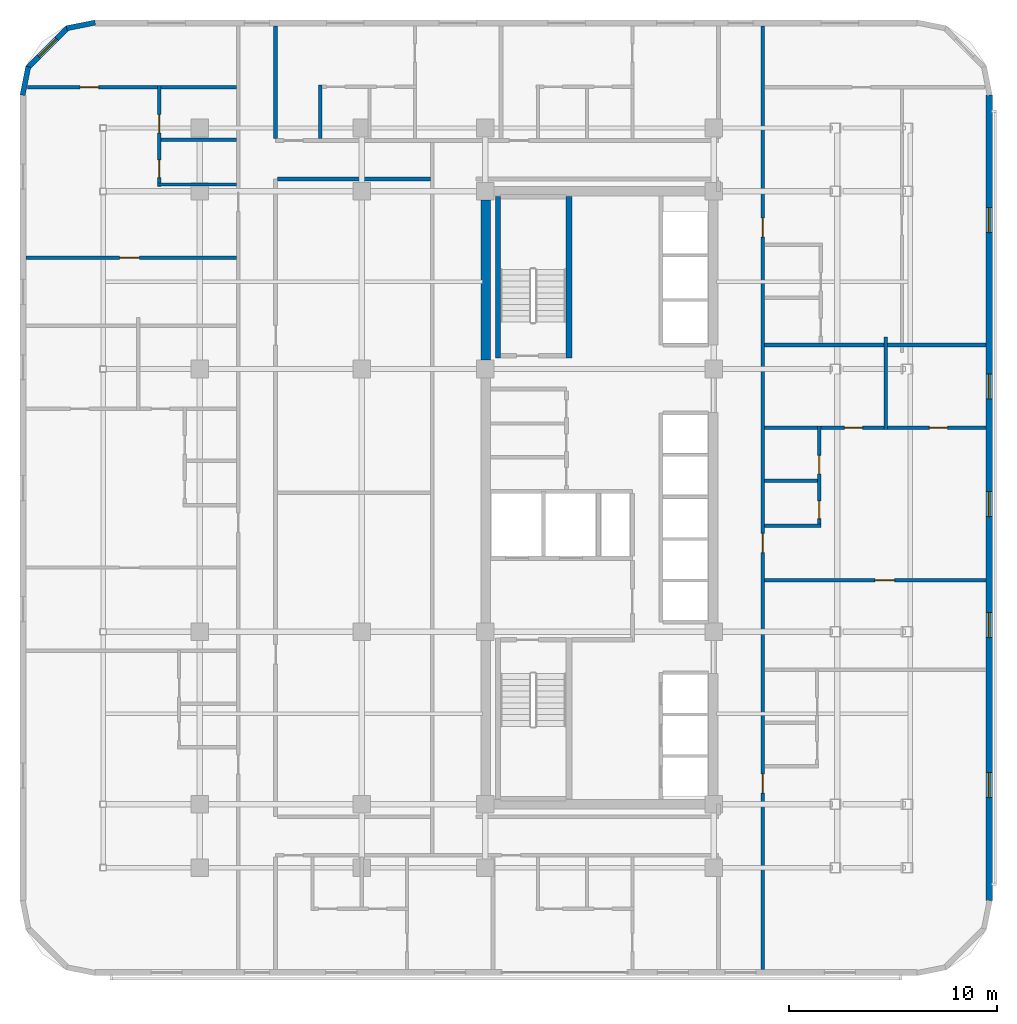
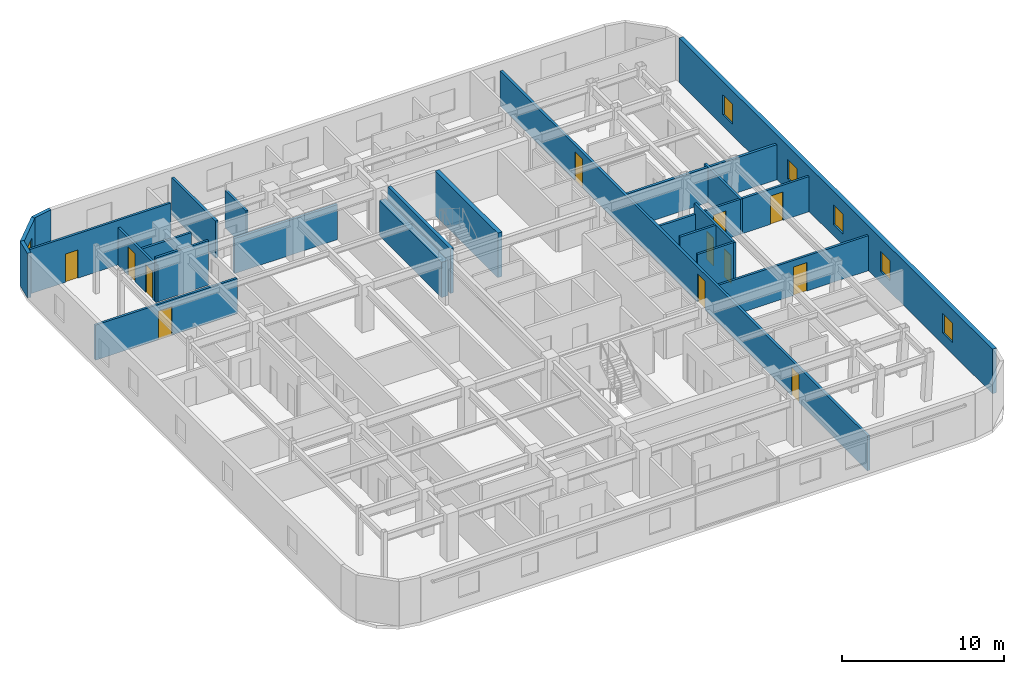
# One storey, part 9 of 15: 23 walls, 12 doors, 6 windows, 18 openings.
"""IFC4 building model written with IfcOpenShell, lengths in metres."""

import ifcopenshell
import ifcopenshell.guid

model = None  # the IFC model being written
_history = None  # IfcOwnerHistory: only IFC2X3 demands one
_inside = {}  # id of a spatial element -> (the spatial element, [elements in it])
_under = {}  # id of a project, library or spatial element -> (it, [spatial elements below it])
_declared = {}  # id of a project -> (the project, [libraries it declares])
_typed = {}  # id of a type object -> (the type object, [elements of that type])
_made_of = {}  # id of a material, layer set ... -> (it, [elements and type objects made of it])


def new_model(schema):
    """Start an empty IFC model of exactly this schema.

    Asked for "IFC4X3", IfcOpenShell would pick the latest addendum, in which some entities
    have other attributes; the version numbers below select the first issue.
    IFC2X3 requires an IfcOwnerHistory on every rooted entity: one is made here for all.
    """
    global model, _history
    if schema == "IFC4X3":
        model = ifcopenshell.file(schema_version=(4, 3, 0, 0))
    else:
        model = ifcopenshell.file(schema=schema)
    _inside.clear()
    _under.clear()
    _declared.clear()
    _typed.clear()
    _made_of.clear()
    _history = None
    if model.schema == "IFC2X3":
        org = make("IfcOrganization", Name="unknown")
        user = make(
            "IfcPersonAndOrganization",
            ThePerson=make("IfcPerson", FamilyName="unknown"),
            TheOrganization=org,
        )
        app = make(
            "IfcApplication",
            ApplicationDeveloper=org,
            Version="unknown",
            ApplicationFullName="unknown",
            ApplicationIdentifier="unknown",
        )
        _history = make(
            "IfcOwnerHistory",
            OwningUser=user,
            OwningApplication=app,
            ChangeAction="ADDED",
            CreationDate=0,
        )
    return model


def make(cls, **values):
    """One entity of the class cls with the attributes given. An attribute that is None is left unset."""
    return model.create_entity(
        cls, **{name: value for name, value in values.items() if value is not None}
    )


def rooted(cls, **values):
    """An entity with a GlobalId (a new one), such as an element, a storey or a relation."""
    return make(cls, GlobalId=ifcopenshell.guid.new(), OwnerHistory=_history, **values)


def si_unit(unit_type, name, prefix=None):
    """IfcSIUnit, for example si_unit("LENGTHUNIT", "METRE", prefix="MILLI")."""
    return make("IfcSIUnit", UnitType=unit_type, Prefix=prefix, Name=name)


def assignment(units):
    """IfcUnitAssignment: the units of a project."""
    return None if units is None else make("IfcUnitAssignment", Units=units)


def point(xyz):
    """IfcCartesianPoint."""
    return None if xyz is None else make("IfcCartesianPoint", Coordinates=xyz)


def direction(xyz):
    """IfcDirection."""
    return None if xyz is None else make("IfcDirection", DirectionRatios=xyz)


def frame(location, z_axis=None, x_axis=None):
    """IfcAxis2Placement3D, a coordinate frame: its origin and axes. An axis left out is left unset."""
    return make(
        "IfcAxis2Placement3D",
        Location=point(location),
        Axis=direction(z_axis),
        RefDirection=direction(x_axis),
    )


def frame_2d(location, x_axis=None):
    """IfcAxis2Placement2D, a coordinate frame in the plane: its origin and x axis."""
    return make(
        "IfcAxis2Placement2D", Location=point(location), RefDirection=direction(x_axis)
    )


def origin():
    """The frame at (0, 0, 0) with its axes left unset."""
    return frame((0.0, 0.0, 0.0))


def place(relative_to, where):
    """IfcLocalPlacement: puts the frame where relative to a parent placement (None: the world)."""
    return make(
        "IfcLocalPlacement", PlacementRelTo=relative_to, RelativePlacement=where
    )


def context(
    kind, dimensions, precision=None, world=None, true_north=None, identifier=None
):
    """IfcGeometricRepresentationContext, for example the 3D "Model" context."""
    return make(
        "IfcGeometricRepresentationContext",
        ContextIdentifier=identifier,
        ContextType=kind,
        CoordinateSpaceDimension=dimensions,
        Precision=precision,
        WorldCoordinateSystem=world,
        TrueNorth=true_north,
    )


def subcontext(parent, identifier, kind, view, scale=None):
    """IfcGeometricRepresentationSubContext, for example "Body" below "Model"."""
    return make(
        "IfcGeometricRepresentationSubContext",
        ContextIdentifier=identifier,
        ContextType=kind,
        ParentContext=parent,
        TargetScale=scale,
        TargetView=view,
    )


def project(units=None, contexts=None):
    """IfcProject with its units and contexts."""
    return rooted(
        "IfcProject",
        Name="project",
        RepresentationContexts=contexts,
        UnitsInContext=assignment(units),
    )


def spatial(cls, under=None, at=None, **own):
    """A site, building, storey or space (cls), placed at a placement, below another one or the project."""
    s = rooted(cls, ObjectPlacement=at, **own)
    if under is not None:
        _under.setdefault(under.id(), (under, []))[1].append(s)
    return s


def profile(cls, at=None, kind="AREA", **sizes):
    """A parametric profile (cls). Its sizes go by their IFC names, for example OverallWidth=200.0."""
    return make(cls, ProfileType=kind, Position=at, **sizes)


def rectangle(**sizes):
    """IfcRectangleProfileDef."""
    return profile("IfcRectangleProfileDef", **sizes)


def extrude(swept, where, along, depth):
    """IfcExtrudedAreaSolid: the profile swept, set in the frame where, extruded along a direction by depth."""
    return make(
        "IfcExtrudedAreaSolid",
        SweptArea=swept,
        Position=where,
        ExtrudedDirection=direction(along),
        Depth=depth,
    )


def shape(context_of_items, identifier, shape_type, items):
    """IfcShapeRepresentation: the items that make up one representation, for example the "Body"."""
    return make(
        "IfcShapeRepresentation",
        ContextOfItems=context_of_items,
        RepresentationIdentifier=identifier,
        RepresentationType=shape_type,
        Items=items,
    )


def material(Name=None, Category=None):
    """IfcMaterial."""
    return make("IfcMaterial", Name=Name, Category=Category)


def layer(
    of_material, thickness, ventilated=None, Name=None, Category=None, Priority=None
):
    """IfcMaterialLayer: one layer of a wall or slab, of a material (None: an air gap)."""
    return make(
        "IfcMaterialLayer",
        Material=of_material,
        LayerThickness=thickness,
        IsVentilated=ventilated,
        Name=Name,
        Category=Category,
        Priority=Priority,
    )


def layer_set(layers, Name=None):
    """IfcMaterialLayerSet."""
    return make("IfcMaterialLayerSet", MaterialLayers=layers, LayerSetName=Name)


def made_of(thing, what):
    """Note that an element or type object is made of a material, layer set ...; save() writes the relation."""
    if what is not None:
        _made_of.setdefault(what.id(), (what, []))[1].append(thing)
    return thing


def type_object(cls, material=None, **own):
    """A type object (cls), such as IfcWallType, which elements share."""
    return made_of(rooted(cls, **own), material)


def element(
    cls,
    number,
    at=None,
    inside=None,
    cuts=None,
    type_object=None,
    material=None,
    context=None,
    identifier="Body",
    shape_type=None,
    held_by="IfcProductDefinitionShape",
    body=None,
    shapes=None,
    **own,
):
    """One element of the class cls, such as IfcWall. Its Tag is "e" and its number.

    at: its placement. inside: the storey or other place that contains it. cuts: it is an
    opening in that element (IfcRelVoidsElement). A single representation is given by context,
    identifier, shape_type and body (its items); several are given by shapes. held_by: the class
    of the entity that holds the representations. save() writes the other relations.
    """
    e = rooted(cls, Tag="e%d" % number, ObjectPlacement=at, **own)
    if body is not None:
        shapes = [shape(context, identifier, shape_type, body)]
    if shapes is not None:
        e.Representation = make(held_by, Representations=shapes)
    if inside is not None:
        _inside.setdefault(inside.id(), (inside, []))[1].append(e)
    if cuts is not None:
        rooted(
            "IfcRelVoidsElement", RelatingBuildingElement=cuts, RelatedOpeningElement=e
        )
    if type_object is not None:
        _typed.setdefault(type_object.id(), (type_object, []))[1].append(e)
    return made_of(e, material)


def fill(opening, filler):
    """IfcRelFillsElement: the door or window that sits in an opening."""
    return rooted(
        "IfcRelFillsElement",
        RelatingOpeningElement=opening,
        RelatedBuildingElement=filler,
    )


def aggregate(whole, parts):
    """IfcRelAggregates: a whole, such as a stair, and the parts it consists of."""
    return rooted("IfcRelAggregates", RelatingObject=whole, RelatedObjects=parts)


def save(model, path):
    """Write the relations noted so far, then the file.

    IfcRelAggregates (storeys below a building ...), IfcRelContainedInSpatialStructure (elements
    in a storey), IfcRelDefinesByType, IfcRelAssociatesMaterial and IfcRelDeclares: one each for
    every whole, place, type object, material and project.
    """
    for whole, parts in _under.values():
        aggregate(whole, parts)
    for where, things in _inside.values():
        rooted(
            "IfcRelContainedInSpatialStructure",
            RelatedElements=things,
            RelatingStructure=where,
        )
    for kind, things in _typed.values():
        rooted("IfcRelDefinesByType", RelatedObjects=things, RelatingType=kind)
    for what, things in _made_of.values():
        rooted("IfcRelAssociatesMaterial", RelatedObjects=things, RelatingMaterial=what)
    for by, libraries in _declared.values():
        rooted("IfcRelDeclares", RelatingContext=by, RelatedDefinitions=libraries)
    model.write(path)


model = new_model("IFC4")

# Units and contexts
model_context = context("Model", 3, precision=1e-05, world=origin(), true_north=direction((0.0, 1.0)))
body_context = subcontext(model_context, "Body", "Model", "MODEL_VIEW")
ifc_project = project(units=[si_unit("LENGTHUNIT", "METRE"), si_unit("AREAUNIT", "SQUARE_METRE"), si_unit("VOLUMEUNIT", "CUBIC_METRE"), si_unit("PLANEANGLEUNIT", "RADIAN"), si_unit("MASSUNIT", "GRAM", prefix="KILO")], contexts=[model_context])

# Site, building, storey
site_placement = place(None, origin())
site = spatial("IfcSite", under=ifc_project, at=site_placement, CompositionType="ELEMENT")
building_placement = place(site_placement, origin())
building = spatial("IfcBuilding", under=site, at=building_placement, Name="Ochreholt Gables", CompositionType="ELEMENT")
storey_placement = place(building_placement, frame((0.0, 0.0, 31.199951171875)))
storey = spatial("IfcBuildingStorey", under=building, at=storey_placement, Name="L07", CompositionType="ELEMENT", Elevation=31.199951171875)

# Wall
ifc_material_1 = material(Name="Concrete 60 MPa", Category="concrete")
ifc_layer_1 = layer(ifc_material_1, 0.449951171875, Name="Concrete 60 MPa")
ifc_layer_set_1 = layer_set([ifc_layer_1], Name="Concrete 60 MPa")
wall_type_1 = type_object("IfcWallType", Name="WALL-CSW-450", PredefinedType="SHEAR", material=ifc_layer_set_1)
wall_1_placement = place(storey_placement, frame((24.22509765625, 30.625, 0.0), z_axis=(0.0, 0.0, 1.0), x_axis=(0.0, 1.0, 0.0)))
element("IfcWall", 1, at=wall_1_placement, inside=storey, type_object=wall_type_1, Name="L07 Core West Shear Wall WN", PredefinedType="SHEAR", context=body_context, shape_type="SweptSolid", body=[
    extrude(rectangle(XDim=7.699951171875, YDim=0.449951171875, at=frame_2d((3.85009765625, 0.0))), origin(), (0.0, 0.0, 1.0), 2.6669921875),
])

# Wall, openings, windows
ifc_material_2 = material(Name="Precast concrete 40 MPa", Category="concrete")
ifc_layer_2 = layer(ifc_material_2, 0.2900390625, Name="Precast concrete 40 MPa")
ifc_layer_set_2 = layer_set([ifc_layer_2], Name="Precast concrete 40 MPa")
wall_type_2 = type_object("IfcWallType", Name="WALL-EXT-290", PredefinedType="SOLIDWALL", material=ifc_layer_set_2)
wall_2_placement = place(storey_placement, frame((48.455078125, 4.6201171875, 0.0), z_axis=(0.0, 0.0, 1.0), x_axis=(0.0, 1.0, 0.0)))
wall_2 = element("IfcWall", 2, at=wall_2_placement, inside=storey, type_object=wall_type_2, Name="L07 East Exterior Wall", PredefinedType="SOLIDWALL", context=body_context, shape_type="SweptSolid", body=[
    extrude(rectangle(XDim=38.759765625, YDim=0.2900390625, at=frame_2d((19.3798828125, 0.0))), origin(), (0.0, 0.0, 1.0), 3.360107421875),
])
opening_1_placement = place(wall_2_placement, frame((4.949951171875, 0.0, 0.85009765625)))
opening_1 = element("IfcOpeningElement", 3, at=opening_1_placement, cuts=wall_2, Name="Opening WN-3", PredefinedType="OPENING", context=body_context, shape_type="SweptSolid", body=[
    extrude(rectangle(XDim=1.199951171875, YDim=1.5, at=frame_2d((0.60009765625, 0.75))), frame((0.0, 0.155029296875, 0.0), z_axis=(0.0, -1.0, 0.0), x_axis=(1.0, 0.0, 0.0)), (0.0, 0.0, 1.0), 0.31005859375),
])
opening_2_placement = place(wall_2_placement, frame((12.654296875, 0.0, 0.85009765625)))
opening_2 = element("IfcOpeningElement", 4, at=opening_2_placement, cuts=wall_2, Name="Opening WN-3", PredefinedType="OPENING", context=body_context, shape_type="SweptSolid", body=[
    extrude(rectangle(XDim=1.199951171875, YDim=1.5, at=frame_2d((0.60009765625, 0.75))), frame((0.0, 0.155029296875, 0.0), z_axis=(0.0, -1.0, 0.0), x_axis=(1.0, 0.0, 0.0)), (0.0, 0.0, 1.0), 0.31005859375),
])
opening_3_placement = place(wall_2_placement, frame((18.479248046875, 0.0, 0.85009765625)))
opening_3 = element("IfcOpeningElement", 5, at=opening_3_placement, cuts=wall_2, Name="Opening WN-3", PredefinedType="OPENING", context=body_context, shape_type="SweptSolid", body=[
    extrude(rectangle(XDim=1.199951171875, YDim=1.5, at=frame_2d((0.60009765625, 0.75))), frame((0.0, 0.155029296875, 0.0), z_axis=(0.0, -1.0, 0.0), x_axis=(1.0, 0.0, 0.0)), (0.0, 0.0, 1.0), 0.31005859375),
])
opening_4_placement = place(wall_2_placement, frame((24.14501953125, 0.0, 0.85009765625)))
opening_4 = element("IfcOpeningElement", 6, at=opening_4_placement, cuts=wall_2, Name="Opening WN-3", PredefinedType="OPENING", context=body_context, shape_type="SweptSolid", body=[
    extrude(rectangle(XDim=1.199951171875, YDim=1.5, at=frame_2d((0.60009765625, 0.75))), frame((0.0, 0.155029296875, 0.0), z_axis=(0.0, -1.0, 0.0), x_axis=(1.0, 0.0, 0.0)), (0.0, 0.0, 1.0), 0.31005859375),
])
opening_5_placement = place(wall_2_placement, frame((32.14990234375, 0.0, 0.85009765625)))
opening_5 = element("IfcOpeningElement", 7, at=opening_5_placement, cuts=wall_2, Name="Opening WN-3", PredefinedType="OPENING", context=body_context, shape_type="SweptSolid", body=[
    extrude(rectangle(XDim=1.199951171875, YDim=1.5, at=frame_2d((0.60009765625, 0.75))), frame((0.0, 0.155029296875, 0.0), z_axis=(0.0, -1.0, 0.0), x_axis=(1.0, 0.0, 0.0)), (0.0, 0.0, 1.0), 0.31005859375),
])
ifc_material_3 = material(Name="Triple-Glazed Thermally Broken Aluminium Window", Category="aluminium")
window_type = type_object("IfcWindowType", Name="WIN-RES-1200", PartitioningType="SINGLE_PANEL", PredefinedType="WINDOW", material=ifc_material_3)
window_1_placement = place(opening_1_placement, origin())
window_1 = element("IfcWindow", 8, at=window_1_placement, inside=storey, type_object=window_type, Name="L07 Window W-EXT-E-L07-1", OverallHeight=1.5, OverallWidth=1.199951171875, PartitioningType="SINGLE_PANEL", PredefinedType="WINDOW", context=body_context, shape_type="SweptSolid", body=[
    extrude(rectangle(XDim=1.199951171875, YDim=1.5, at=frame_2d((0.60009765625, 0.75))), frame((0.0, 0.030029296875, 0.0), z_axis=(0.0, -1.0, 0.0), x_axis=(1.0, 0.0, 0.0)), (0.0, 0.0, 1.0), 0.06005859375),
])
fill(opening_1, window_1)
window_2_placement = place(opening_2_placement, origin())
window_2 = element("IfcWindow", 9, at=window_2_placement, inside=storey, type_object=window_type, Name="L07 Window W-EXT-E-L07-2", OverallHeight=1.5, OverallWidth=1.199951171875, PartitioningType="SINGLE_PANEL", PredefinedType="WINDOW", context=body_context, shape_type="SweptSolid", body=[
    extrude(rectangle(XDim=1.199951171875, YDim=1.5, at=frame_2d((0.60009765625, 0.75))), frame((0.0, 0.030029296875, 0.0), z_axis=(0.0, -1.0, 0.0), x_axis=(1.0, 0.0, 0.0)), (0.0, 0.0, 1.0), 0.06005859375),
])
fill(opening_2, window_2)
window_3_placement = place(opening_3_placement, origin())
window_3 = element("IfcWindow", 10, at=window_3_placement, inside=storey, type_object=window_type, Name="L07 Window W-EXT-E-L07-3", OverallHeight=1.5, OverallWidth=1.199951171875, PartitioningType="SINGLE_PANEL", PredefinedType="WINDOW", context=body_context, shape_type="SweptSolid", body=[
    extrude(rectangle(XDim=1.199951171875, YDim=1.5, at=frame_2d((0.60009765625, 0.75))), frame((0.0, 0.030029296875, 0.0), z_axis=(0.0, -1.0, 0.0), x_axis=(1.0, 0.0, 0.0)), (0.0, 0.0, 1.0), 0.06005859375),
])
fill(opening_3, window_3)
window_4_placement = place(opening_4_placement, origin())
window_4 = element("IfcWindow", 11, at=window_4_placement, inside=storey, type_object=window_type, Name="L07 Window W-EXT-E-L07-4", OverallHeight=1.5, OverallWidth=1.199951171875, PartitioningType="SINGLE_PANEL", PredefinedType="WINDOW", context=body_context, shape_type="SweptSolid", body=[
    extrude(rectangle(XDim=1.199951171875, YDim=1.5, at=frame_2d((0.60009765625, 0.75))), frame((0.0, 0.030029296875, 0.0), z_axis=(0.0, -1.0, 0.0), x_axis=(1.0, 0.0, 0.0)), (0.0, 0.0, 1.0), 0.06005859375),
])
fill(opening_4, window_4)
window_5_placement = place(opening_5_placement, origin())
window_5 = element("IfcWindow", 12, at=window_5_placement, inside=storey, type_object=window_type, Name="L07 Window W-EXT-E-L07-5", OverallHeight=1.5, OverallWidth=1.199951171875, PartitioningType="SINGLE_PANEL", PredefinedType="WINDOW", context=body_context, shape_type="SweptSolid", body=[
    extrude(rectangle(XDim=1.199951171875, YDim=1.5, at=frame_2d((0.60009765625, 0.75))), frame((0.0, 0.030029296875, 0.0), z_axis=(0.0, -1.0, 0.0), x_axis=(1.0, 0.0, 0.0)), (0.0, 0.0, 1.0), 0.06005859375),
])
fill(opening_5, window_5)

# Wall
ifc_layer_3 = layer(ifc_material_2, 0.25, Name="Precast concrete 40 MPa")
ifc_layer_set_3 = layer_set([ifc_layer_3], Name="Precast concrete 40 MPa")
wall_type_3 = type_object("IfcWallType", Name="WALL-EXT-CNR", PredefinedType="SOLIDWALL", material=ifc_layer_set_3)
wall_3_placement = place(storey_placement, frame((5.41650390625, 46.875732421875, 0.0), z_axis=(0.0, 0.0, 1.0), x_axis=(-0.980809899341, -0.19496651342, 0.0)))
element("IfcWall", 13, at=wall_3_placement, inside=storey, type_object=wall_type_3, Name="L07 Rounded Corner Wall NW-1", PredefinedType="SOLIDWALL", context=body_context, shape_type="SweptSolid", body=[
    extrude(rectangle(XDim=1.388671875, YDim=0.25, at=frame_2d((0.6943359375, 0.0))), origin(), (0.0, 0.0, 1.0), 3.360107421875),
])

# Wall, opening, window
wall_4_placement = place(storey_placement, frame((4.10498046875, 46.632080078125, 0.0), z_axis=(0.0, 0.0, 1.0), x_axis=(-0.707106781187, -0.707106781187, 0.0)))
wall_4 = element("IfcWall", 14, at=wall_4_placement, inside=storey, type_object=wall_type_3, Name="L07 Rounded Corner Wall NW-2", PredefinedType="SOLIDWALL", context=body_context, shape_type="SweptSolid", body=[
    extrude(rectangle(XDim=2.7392578125, YDim=0.25, at=frame_2d((1.36962890625, 0.0))), origin(), (0.0, 0.0, 1.0), 3.360107421875),
])
opening_6_placement = place(wall_4_placement, frame((0.769775390625, 0.0, 0.85009765625)))
opening_6 = element("IfcOpeningElement", 15, at=opening_6_placement, cuts=wall_4, Name="Opening WN-3", PredefinedType="OPENING", context=body_context, shape_type="SweptSolid", body=[
    extrude(rectangle(XDim=1.199951171875, YDim=1.5, at=frame_2d((0.60009765625, 0.75))), frame((0.0, 0.135009765625, 0.0), z_axis=(0.0, -1.0, 0.0), x_axis=(1.0, 0.0, 0.0)), (0.0, 0.0, 1.0), 0.27001953125),
])
window_6_placement = place(opening_6_placement, origin())
window_6 = element("IfcWindow", 16, at=window_6_placement, inside=storey, type_object=window_type, Name="L07 Corner Bedroom Window NW", OverallHeight=1.5, OverallWidth=1.199951171875, PartitioningType="SINGLE_PANEL", PredefinedType="WINDOW", context=body_context, shape_type="SweptSolid", body=[
    extrude(rectangle(XDim=1.199951171875, YDim=1.5, at=frame_2d((0.60009765625, 0.75))), frame((0.0, 0.030029296875, 0.0), z_axis=(0.0, -1.0, 0.0), x_axis=(1.0, 0.0, 0.0)), (0.0, 0.0, 1.0), 0.06005859375),
])
fill(opening_6, window_6)

# Wall
wall_5_placement = place(storey_placement, frame((2.195068359375, 44.74560546875, 0.0), z_axis=(0.0, 0.0, 1.0), x_axis=(-0.19496651342, -0.980809899341, 0.0)))
element("IfcWall", 17, at=wall_5_placement, inside=storey, type_object=wall_type_3, Name="L07 Rounded Corner Wall NW-3", PredefinedType="SOLIDWALL", context=body_context, shape_type="SweptSolid", body=[
    extrude(rectangle(XDim=1.388671875, YDim=0.25, at=frame_2d((0.6943359375, 0.0))), origin(), (0.0, 0.0, 1.0), 3.360107421875),
])

# Wall, openings, doors
ifc_material_4 = material(Name="Fire-Rated Gypsum Acoustic Partition", Category="gypsum")
ifc_layer_4 = layer(ifc_material_4, 0.179931640625, Name="Fire-Rated Gypsum Acoustic Partition")
ifc_layer_set_4 = layer_set([ifc_layer_4], Name="Fire-Rated Gypsum Acoustic Partition")
wall_type_4 = type_object("IfcWallType", Name="WALL-INT-CR180", PredefinedType="STANDARD", material=ifc_layer_set_4)
wall_6_placement = place(storey_placement, frame((37.550048828125, 1.2900390625, 0.0), z_axis=(0.0, 0.0, 1.0), x_axis=(0.0, 1.0, 0.0)))
wall_6 = element("IfcWall", 18, at=wall_6_placement, inside=storey, type_object=wall_type_4, Name="L07 Interior Wall WI-C1E-L07", PredefinedType="STANDARD", context=body_context, shape_type="SweptSolid", body=[
    extrude(rectangle(XDim=45.419921875, YDim=0.179931640625, at=frame_2d((22.7099609375, 0.0))), origin(), (0.0, 0.0, 1.0), 2.649169921875),
])
opening_7_placement = place(wall_6_placement, frame((8.489990234375, 0.0, 0.0)))
opening_7 = element("IfcOpeningElement", 19, at=opening_7_placement, cuts=wall_6, Name="Opening D-UN1", PredefinedType="OPENING", context=body_context, shape_type="SweptSolid", body=[
    extrude(rectangle(XDim=0.919921875, YDim=2.14990234375, at=frame_2d((0.4599609375, 1.074951171875))), frame((0.0, 0.099853515625, 0.0), z_axis=(0.0, -1.0, 0.0), x_axis=(1.0, 0.0, 0.0)), (0.0, 0.0, 1.0), 0.199951171875),
])
opening_8_placement = place(wall_6_placement, frame((20.072998046875, 0.0, 0.0)))
opening_8 = element("IfcOpeningElement", 20, at=opening_8_placement, cuts=wall_6, Name="Opening D-UN1", PredefinedType="OPENING", context=body_context, shape_type="SweptSolid", body=[
    extrude(rectangle(XDim=0.919921875, YDim=2.14990234375, at=frame_2d((0.4599609375, 1.074951171875))), frame((0.0, 0.099853515625, 0.0), z_axis=(0.0, -1.0, 0.0), x_axis=(1.0, 0.0, 0.0)), (0.0, 0.0, 1.0), 0.199951171875),
])
opening_9_placement = place(wall_6_placement, frame((35.255615234375, 0.0, 0.0)))
opening_9 = element("IfcOpeningElement", 21, at=opening_9_placement, cuts=wall_6, Name="Opening D-UN1", PredefinedType="OPENING", context=body_context, shape_type="SweptSolid", body=[
    extrude(rectangle(XDim=0.919921875, YDim=2.14990234375, at=frame_2d((0.4599609375, 1.074951171875))), frame((0.0, 0.099853515625, 0.0), z_axis=(0.0, -1.0, 0.0), x_axis=(1.0, 0.0, 0.0)), (0.0, 0.0, 1.0), 0.199951171875),
])
ifc_material_5 = material(Name="Engineered Oak Timber", Category="wood")
door_type_1 = type_object("IfcDoorType", Name="DR-INT-UNT920", OperationType="NOTDEFINED", PredefinedType="DOOR", material=ifc_material_5)
door_1_placement = place(opening_7_placement, origin())
door_1 = element("IfcDoor", 22, at=door_1_placement, inside=storey, type_object=door_type_1, Name="L07 Door D-U-L07E1-ENT", OperationType="SINGLE_SWING_RIGHT", OverallHeight=2.14990234375, OverallWidth=0.919921875, PredefinedType="DOOR", context=body_context, shape_type="SweptSolid", body=[
    extrude(rectangle(XDim=0.919921875, YDim=2.14990234375, at=frame_2d((0.4599609375, 1.074951171875))), frame((0.0, 0.02490234375, 0.0), z_axis=(0.0, -1.0, 0.0), x_axis=(1.0, 0.0, 0.0)), (0.0, 0.0, 1.0), 0.050048828125),
])
fill(opening_7, door_1)
door_2_placement = place(opening_8_placement, origin())
door_2 = element("IfcDoor", 23, at=door_2_placement, inside=storey, type_object=door_type_1, Name="L07 Door D-U-L07E2-ENT", OperationType="SINGLE_SWING_LEFT", OverallHeight=2.14990234375, OverallWidth=0.919921875, PredefinedType="DOOR", context=body_context, shape_type="SweptSolid", body=[
    extrude(rectangle(XDim=0.919921875, YDim=2.14990234375, at=frame_2d((0.4599609375, 1.074951171875))), frame((0.0, 0.02490234375, 0.0), z_axis=(0.0, -1.0, 0.0), x_axis=(1.0, 0.0, 0.0)), (0.0, 0.0, 1.0), 0.050048828125),
])
fill(opening_8, door_2)
door_3_placement = place(opening_9_placement, origin())
door_3 = element("IfcDoor", 24, at=door_3_placement, inside=storey, type_object=door_type_1, Name="L07 Door D-U-L07E3-ENT", OperationType="SINGLE_SWING_RIGHT", OverallHeight=2.14990234375, OverallWidth=0.919921875, PredefinedType="DOOR", context=body_context, shape_type="SweptSolid", body=[
    extrude(rectangle(XDim=0.919921875, YDim=2.14990234375, at=frame_2d((0.4599609375, 1.074951171875))), frame((0.0, 0.02490234375, 0.0), z_axis=(0.0, -1.0, 0.0), x_axis=(1.0, 0.0, 0.0)), (0.0, 0.0, 1.0), 0.050048828125),
])
fill(opening_9, door_3)

# Walls
wall_7_placement = place(storey_placement, frame((14.18994140625, 39.35009765625, 0.0), z_axis=(0.0, 0.0, 1.0), x_axis=(1.0, 0.0, 0.0)))
element("IfcWall", 25, at=wall_7_placement, inside=storey, type_object=wall_type_4, Name="L07 Interior Wall WI-C1N2W-L07", PredefinedType="STANDARD", context=body_context, shape_type="SweptSolid", body=[
    extrude(rectangle(XDim=7.3701171875, YDim=0.179931640625, at=frame_2d((3.68505859375, 0.0))), origin(), (0.0, 0.0, 1.0), 2.649169921875),
])
ifc_material_6 = material(Name="Double-Stud Acoustic Demising Wall", Category="gypsum")
ifc_layer_5 = layer(ifc_material_6, 0.179931640625, Name="Double-Stud Acoustic Demising Wall")
ifc_layer_set_5 = layer_set([ifc_layer_5], Name="Double-Stud Acoustic Demising Wall")
wall_type_5 = type_object("IfcWallType", Name="WALL-INT-DM180", PredefinedType="PARTITIONING", material=ifc_layer_set_5)
wall_8_placement = place(storey_placement, frame((14.10009765625, 41.2900390625, 0.0), z_axis=(0.0, 0.0, 1.0), x_axis=(0.0, 1.0, 0.0)))
element("IfcWall", 26, at=wall_8_placement, inside=storey, type_object=wall_type_5, Name="L07 Interior Wall WI-C1WNI-L07", PredefinedType="PARTITIONING", context=body_context, shape_type="SweptSolid", body=[
    extrude(rectangle(XDim=5.419921875, YDim=0.179931640625, at=frame_2d((2.7099609375, 0.0))), origin(), (0.0, 0.0, 1.0), 2.80908203125),
])
wall_9_placement = place(storey_placement, frame((37.639892578125, 31.360107421875, 0.0), z_axis=(0.0, 0.0, 1.0), x_axis=(1.0, 0.0, 0.0)))
element("IfcWall", 27, at=wall_9_placement, inside=storey, type_object=wall_type_5, Name="L07 Interior Wall WI-UDE3-L07", PredefinedType="PARTITIONING", context=body_context, shape_type="SweptSolid", body=[
    extrude(rectangle(XDim=10.670166015625, YDim=0.179931640625, at=frame_2d((5.3349609375, 0.0))), origin(), (0.0, 0.0, 1.0), 2.649169921875),
])
ifc_material_7 = material(Name="Moisture-Resistant Plumbing Chase Wall", Category="gypsum")
ifc_layer_6 = layer(ifc_material_7, 0.159912109375, Name="Moisture-Resistant Plumbing Chase Wall")
ifc_layer_set_6 = layer_set([ifc_layer_6], Name="Moisture-Resistant Plumbing Chase Wall")
wall_type_6 = type_object("IfcWallType", Name="WALL-INT-PL160", PredefinedType="PLUMBINGWALL", material=ifc_layer_set_6)
wall_10_placement = place(storey_placement, frame((37.639892578125, 22.6630859375, 0.0), z_axis=(0.0, 0.0, 1.0), x_axis=(1.0, 0.0, 0.0)))
element("IfcWall", 28, at=wall_10_placement, inside=storey, type_object=wall_type_6, Name="L07 Interior Wall WU-L07E2-FYS", PredefinedType="PLUMBINGWALL", context=body_context, shape_type="SweptSolid", body=[
    extrude(rectangle(XDim=2.712158203125, YDim=0.159912109375, at=frame_2d((1.35595703125, 0.0))), origin(), (0.0, 0.0, 1.0), 3.360107421875),
])

# Wall, openings, doors
wall_11_placement = place(storey_placement, frame((40.27197265625, 22.572998046875, 0.0), z_axis=(0.0, 0.0, 1.0), x_axis=(0.0, 1.0, 0.0)))
wall_11 = element("IfcWall", 29, at=wall_11_placement, inside=storey, type_object=wall_type_6, Name="L07 Interior Wall WU-L07E2-WX", PredefinedType="PLUMBINGWALL", context=body_context, shape_type="SweptSolid", body=[
    extrude(rectangle(XDim=4.886962890625, YDim=0.159912109375, at=frame_2d((2.443359375, 0.0))), origin(), (0.0, 0.0, 1.0), 3.360107421875),
])
opening_10_placement = place(wall_11_placement, frame((0.419921875, 0.0, 0.0)))
opening_10 = element("IfcOpeningElement", 30, at=opening_10_placement, cuts=wall_11, Name="Opening D-BT1", PredefinedType="OPENING", context=body_context, shape_type="SweptSolid", body=[
    extrude(rectangle(XDim=0.860107421875, YDim=2.1201171875, at=frame_2d((0.43017578125, 1.06005859375))), frame((0.0, 0.08984375, 0.0), z_axis=(0.0, -1.0, 0.0), x_axis=(1.0, 0.0, 0.0)), (0.0, 0.0, 1.0), 0.179931640625),
])
opening_11_placement = place(wall_11_placement, frame((2.585205078125, 0.0, 0.0)))
opening_11 = element("IfcOpeningElement", 31, at=opening_11_placement, cuts=wall_11, Name="Opening D-GN2", PredefinedType="OPENING", context=body_context, shape_type="SweptSolid", body=[
    extrude(rectangle(XDim=0.8798828125, YDim=2.1201171875, at=frame_2d((0.43994140625, 1.06005859375))), frame((0.0, 0.08984375, 0.0), z_axis=(0.0, -1.0, 0.0), x_axis=(1.0, 0.0, 0.0)), (0.0, 0.0, 1.0), 0.179931640625),
])
door_type_2 = type_object("IfcDoorType", Name="DR-INT-BTH860", OperationType="NOTDEFINED", PredefinedType="DOOR", material=ifc_material_5)
door_4_placement = place(opening_10_placement, origin())
door_4 = element("IfcDoor", 32, at=door_4_placement, inside=storey, type_object=door_type_2, Name="L07 Door D-U-L07E2-BTH", OperationType="SINGLE_SWING_RIGHT", OverallHeight=2.1201171875, OverallWidth=0.860107421875, PredefinedType="DOOR", context=body_context, shape_type="SweptSolid", body=[
    extrude(rectangle(XDim=0.860107421875, YDim=2.1201171875, at=frame_2d((0.43017578125, 1.06005859375))), frame((0.0, 0.02490234375, 0.0), z_axis=(0.0, -1.0, 0.0), x_axis=(1.0, 0.0, 0.0)), (0.0, 0.0, 1.0), 0.050048828125),
])
fill(opening_10, door_4)
door_type_3 = type_object("IfcDoorType", Name="DR-INT-GEN880", OperationType="NOTDEFINED", PredefinedType="DOOR", material=ifc_material_5)
door_5_placement = place(opening_11_placement, origin())
door_5 = element("IfcDoor", 33, at=door_5_placement, inside=storey, type_object=door_type_3, Name="L07 Door D-U-L07E2-KIT", OperationType="SINGLE_SWING_LEFT", OverallHeight=2.1201171875, OverallWidth=0.8798828125, PredefinedType="DOOR", context=body_context, shape_type="SweptSolid", body=[
    extrude(rectangle(XDim=0.8798828125, YDim=2.1201171875, at=frame_2d((0.43994140625, 1.06005859375))), frame((0.0, 0.02490234375, 0.0), z_axis=(0.0, -1.0, 0.0), x_axis=(1.0, 0.0, 0.0)), (0.0, 0.0, 1.0), 0.050048828125),
])
fill(opening_11, door_5)

# Walls
wall_12_placement = place(storey_placement, frame((37.639892578125, 24.828125, 0.0), z_axis=(0.0, 0.0, 1.0), x_axis=(1.0, 0.0, 0.0)))
element("IfcWall", 34, at=wall_12_placement, inside=storey, type_object=wall_type_6, Name="L07 Interior Wall WU-L07E2-WK", PredefinedType="PLUMBINGWALL", context=body_context, shape_type="SweptSolid", body=[
    extrude(rectangle(XDim=2.552001953125, YDim=0.159912109375, at=frame_2d((1.27587890625, 0.0))), origin(), (0.0, 0.0, 1.0), 3.360107421875),
])
wall_13_placement = place(storey_placement, frame((8.429931640625, 39.08154296875, 0.0), z_axis=(0.0, 0.0, 1.0), x_axis=(1.0, 0.0, 0.0)))
element("IfcWall", 35, at=wall_13_placement, inside=storey, type_object=wall_type_6, Name="L07 Interior Wall WU-L07W3-FYS", PredefinedType="PLUMBINGWALL", context=body_context, shape_type="SweptSolid", body=[
    extrude(rectangle(XDim=3.780029296875, YDim=0.159912109375, at=frame_2d((1.89013671875, 0.0))), origin(), (0.0, 0.0, 1.0), 3.360107421875),
])

# Wall, openings, doors
wall_14_placement = place(storey_placement, frame((8.510009765625, 38.991455078125, 0.0), z_axis=(0.0, 0.0, 1.0), x_axis=(0.0, 1.0, 0.0)))
wall_14 = element("IfcWall", 36, at=wall_14_placement, inside=storey, type_object=wall_type_6, Name="L07 Interior Wall WU-L07W3-WX", PredefinedType="PLUMBINGWALL", context=body_context, shape_type="SweptSolid", body=[
    extrude(rectangle(XDim=4.858642578125, YDim=0.159912109375, at=frame_2d((2.42919921875, 0.0))), origin(), (0.0, 0.0, 1.0), 2.80908203125),
])
opening_12_placement = place(wall_14_placement, frame((0.419921875, 0.0, 0.0)))
opening_12 = element("IfcOpeningElement", 37, at=opening_12_placement, cuts=wall_14, Name="Opening D-BT1", PredefinedType="OPENING", context=body_context, shape_type="SweptSolid", body=[
    extrude(rectangle(XDim=0.860107421875, YDim=2.1201171875, at=frame_2d((0.43017578125, 1.06005859375))), frame((0.0, 0.08984375, 0.0), z_axis=(0.0, -1.0, 0.0), x_axis=(1.0, 0.0, 0.0)), (0.0, 0.0, 1.0), 0.179931640625),
])
opening_13_placement = place(wall_14_placement, frame((2.572021484375, 0.0, 0.0)))
opening_13 = element("IfcOpeningElement", 38, at=opening_13_placement, cuts=wall_14, Name="Opening D-GN2", PredefinedType="OPENING", context=body_context, shape_type="SweptSolid", body=[
    extrude(rectangle(XDim=0.8798828125, YDim=2.1201171875, at=frame_2d((0.43994140625, 1.06005859375))), frame((0.0, 0.08984375, 0.0), z_axis=(0.0, -1.0, 0.0), x_axis=(1.0, 0.0, 0.0)), (0.0, 0.0, 1.0), 0.179931640625),
])
door_6_placement = place(opening_12_placement, origin())
door_6 = element("IfcDoor", 39, at=door_6_placement, inside=storey, type_object=door_type_2, Name="L07 Door D-U-L07W3-BTH", OperationType="SINGLE_SWING_RIGHT", OverallHeight=2.1201171875, OverallWidth=0.860107421875, PredefinedType="DOOR", context=body_context, shape_type="SweptSolid", body=[
    extrude(rectangle(XDim=0.860107421875, YDim=2.1201171875, at=frame_2d((0.43017578125, 1.06005859375))), frame((0.0, 0.02490234375, 0.0), z_axis=(0.0, -1.0, 0.0), x_axis=(1.0, 0.0, 0.0)), (0.0, 0.0, 1.0), 0.050048828125),
])
fill(opening_12, door_6)
door_7_placement = place(opening_13_placement, origin())
door_7 = element("IfcDoor", 40, at=door_7_placement, inside=storey, type_object=door_type_3, Name="L07 Door D-U-L07W3-KIT", OperationType="SINGLE_SWING_LEFT", OverallHeight=2.1201171875, OverallWidth=0.8798828125, PredefinedType="DOOR", context=body_context, shape_type="SweptSolid", body=[
    extrude(rectangle(XDim=0.8798828125, YDim=2.1201171875, at=frame_2d((0.43994140625, 1.06005859375))), frame((0.0, 0.02490234375, 0.0), z_axis=(0.0, -1.0, 0.0), x_axis=(1.0, 0.0, 0.0)), (0.0, 0.0, 1.0), 0.050048828125),
])
fill(opening_13, door_7)

# Walls
wall_15_placement = place(storey_placement, frame((8.590087890625, 41.233642578125, 0.0), z_axis=(0.0, 0.0, 1.0), x_axis=(1.0, 0.0, 0.0)))
element("IfcWall", 41, at=wall_15_placement, inside=storey, type_object=wall_type_6, Name="L07 Interior Wall WU-L07W3-WK", PredefinedType="PLUMBINGWALL", context=body_context, shape_type="SweptSolid", body=[
    extrude(rectangle(XDim=3.619873046875, YDim=0.159912109375, at=frame_2d((1.81005859375, 0.0))), origin(), (0.0, 0.0, 1.0), 2.649169921875),
])
wall_16_placement = place(storey_placement, frame((16.259521484375, 41.2900390625, 0.0), z_axis=(0.0, 0.0, 1.0), x_axis=(0.0, 1.0, 0.0)))
element("IfcWall", 42, at=wall_16_placement, inside=storey, type_object=wall_type_6, Name="L07 Interior Wall WU-L07N1-FY", PredefinedType="PLUMBINGWALL", context=body_context, shape_type="SweptSolid", body=[
    extrude(rectangle(XDim=2.577392578125, YDim=0.159912109375, at=frame_2d((1.28857421875, 0.0))), origin(), (0.0, 0.0, 1.0), 2.80908203125),
])

# Wall, openings, doors
ifc_material_8 = material(Name="Gypsum Acoustic Stud Partition", Category="gypsum")
ifc_layer_7 = layer(ifc_material_8, 0.159912109375, Name="Gypsum Acoustic Stud Partition")
ifc_layer_set_7 = layer_set([ifc_layer_7], Name="Gypsum Acoustic Stud Partition")
wall_type_7 = type_object("IfcWallType", Name="WALL-INT-PT160", PredefinedType="PARTITIONING", material=ifc_layer_set_7)
wall_17_placement = place(storey_placement, frame((37.639892578125, 27.3701171875, 0.0), z_axis=(0.0, 0.0, 1.0), x_axis=(1.0, 0.0, 0.0)))
wall_17 = element("IfcWall", 43, at=wall_17_placement, inside=storey, type_object=wall_type_7, Name="L07 Interior Wall WU-L07E2-MN", PredefinedType="PARTITIONING", context=body_context, shape_type="SweptSolid", body=[
    extrude(rectangle(XDim=10.670166015625, YDim=0.159912109375, at=frame_2d((5.3349609375, 0.0))), origin(), (0.0, 0.0, 1.0), 2.649169921875),
])
opening_14_placement = place(wall_17_placement, frame((3.839599609375, 0.0, 0.0)))
opening_14 = element("IfcOpeningElement", 44, at=opening_14_placement, cuts=wall_17, Name="Opening D-BD2", PredefinedType="OPENING", context=body_context, shape_type="SweptSolid", body=[
    extrude(rectangle(XDim=0.8798828125, YDim=2.139892578125, at=frame_2d((0.43994140625, 1.06982421875))), frame((0.0, 0.08984375, 0.0), z_axis=(0.0, -1.0, 0.0), x_axis=(1.0, 0.0, 0.0)), (0.0, 0.0, 1.0), 0.179931640625),
])
opening_15_placement = place(wall_17_placement, frame((7.9287109375, 0.0, 0.0)))
opening_15 = element("IfcOpeningElement", 45, at=opening_15_placement, cuts=wall_17, Name="Opening D-BD2", PredefinedType="OPENING", context=body_context, shape_type="SweptSolid", body=[
    extrude(rectangle(XDim=0.8798828125, YDim=2.139892578125, at=frame_2d((0.43994140625, 1.06982421875))), frame((0.0, 0.08984375, 0.0), z_axis=(0.0, -1.0, 0.0), x_axis=(1.0, 0.0, 0.0)), (0.0, 0.0, 1.0), 0.179931640625),
])
door_type_4 = type_object("IfcDoorType", Name="DR-INT-BED880", OperationType="NOTDEFINED", PredefinedType="DOOR", material=ifc_material_5)
door_8_placement = place(opening_14_placement, origin())
door_8 = element("IfcDoor", 46, at=door_8_placement, inside=storey, type_object=door_type_4, Name="L07 Door D-U-L07E2-BD1", OperationType="SINGLE_SWING_LEFT", OverallHeight=2.139892578125, OverallWidth=0.8798828125, PredefinedType="DOOR", context=body_context, shape_type="SweptSolid", body=[
    extrude(rectangle(XDim=0.8798828125, YDim=2.139892578125, at=frame_2d((0.43994140625, 1.06982421875))), frame((0.0, 0.02490234375, 0.0), z_axis=(0.0, -1.0, 0.0), x_axis=(1.0, 0.0, 0.0)), (0.0, 0.0, 1.0), 0.050048828125),
])
fill(opening_14, door_8)
door_9_placement = place(opening_15_placement, origin())
door_9 = element("IfcDoor", 47, at=door_9_placement, inside=storey, type_object=door_type_4, Name="L07 Door D-U-L07E2-BD2", OperationType="SINGLE_SWING_RIGHT", OverallHeight=2.139892578125, OverallWidth=0.8798828125, PredefinedType="DOOR", context=body_context, shape_type="SweptSolid", body=[
    extrude(rectangle(XDim=0.8798828125, YDim=2.139892578125, at=frame_2d((0.43994140625, 1.06982421875))), frame((0.0, 0.02490234375, 0.0), z_axis=(0.0, -1.0, 0.0), x_axis=(1.0, 0.0, 0.0)), (0.0, 0.0, 1.0), 0.050048828125),
])
fill(opening_15, door_9)

# Wall, opening, door
wall_18_placement = place(storey_placement, frame((37.639892578125, 20.028564453125, 0.0), z_axis=(0.0, 0.0, 1.0), x_axis=(1.0, 0.0, 0.0)))
wall_18 = element("IfcWall", 48, at=wall_18_placement, inside=storey, type_object=wall_type_7, Name="L07 Interior Wall WU-L07E2-DNW", PredefinedType="PARTITIONING", context=body_context, shape_type="SweptSolid", body=[
    extrude(rectangle(XDim=10.670166015625, YDim=0.159912109375, at=frame_2d((5.3349609375, 0.0))), origin(), (0.0, 0.0, 1.0), 2.649169921875),
])
opening_16_placement = place(wall_18_placement, frame((5.31494140625, 0.0, 0.0)))
opening_16 = element("IfcOpeningElement", 49, at=opening_16_placement, cuts=wall_18, Name="Opening D-GN1", PredefinedType="OPENING", context=body_context, shape_type="SweptSolid", body=[
    extrude(rectangle(XDim=0.949951171875, YDim=2.14990234375, at=frame_2d((0.47509765625, 1.074951171875))), frame((0.0, 0.08984375, 0.0), z_axis=(0.0, -1.0, 0.0), x_axis=(1.0, 0.0, 0.0)), (0.0, 0.0, 1.0), 0.179931640625),
])
door_type_5 = type_object("IfcDoorType", Name="DR-INT-GEN950", OperationType="NOTDEFINED", PredefinedType="DOOR", material=ifc_material_5)
door_10_placement = place(opening_16_placement, origin())
door_10 = element("IfcDoor", 50, at=door_10_placement, inside=storey, type_object=door_type_5, Name="L07 Door D-U-L07E2-DIN", OperationType="SINGLE_SWING_RIGHT", OverallHeight=2.14990234375, OverallWidth=0.949951171875, PredefinedType="DOOR", context=body_context, shape_type="SweptSolid", body=[
    extrude(rectangle(XDim=0.949951171875, YDim=2.14990234375, at=frame_2d((0.47509765625, 1.074951171875))), frame((0.0, 0.02490234375, 0.0), z_axis=(0.0, -1.0, 0.0), x_axis=(1.0, 0.0, 0.0)), (0.0, 0.0, 1.0), 0.050048828125),
])
fill(opening_16, door_10)

# Wall
wall_19_placement = place(storey_placement, frame((43.477294921875, 27.2900390625, 0.0), z_axis=(0.0, 0.0, 1.0), x_axis=(0.0, 1.0, 0.0)))
element("IfcWall", 51, at=wall_19_placement, inside=storey, type_object=wall_type_7, Name="L07 Interior Wall WU-L07E2-BSD", PredefinedType="PARTITIONING", context=body_context, shape_type="SweptSolid", body=[
    extrude(rectangle(XDim=4.4599609375, YDim=0.159912109375, at=frame_2d((2.22998046875, 0.0))), origin(), (0.0, 0.0, 1.0), 2.649169921875),
])

# Wall, opening, door
wall_20_placement = place(storey_placement, frame((2.162109375, 43.760009765625, 0.0), z_axis=(0.0, 0.0, 1.0), x_axis=(1.0, 0.0, 0.0)))
wall_20 = element("IfcWall", 52, at=wall_20_placement, inside=storey, type_object=wall_type_7, Name="L07 Interior Wall WU-L07W3-MN", PredefinedType="PARTITIONING", context=body_context, shape_type="SweptSolid", body=[
    extrude(rectangle(XDim=10.0478515625, YDim=0.159912109375, at=frame_2d((5.02392578125, 0.0))), origin(), (0.0, 0.0, 1.0), 3.360107421875),
])
opening_17_placement = place(wall_20_placement, frame((2.52783203125, 0.0, 0.0)))
opening_17 = element("IfcOpeningElement", 53, at=opening_17_placement, cuts=wall_20, Name="Opening D-BD1", PredefinedType="OPENING", context=body_context, shape_type="SweptSolid", body=[
    extrude(rectangle(XDim=0.89990234375, YDim=2.139892578125, at=frame_2d((0.449951171875, 1.06982421875))), frame((0.0, 0.08984375, 0.0), z_axis=(0.0, -1.0, 0.0), x_axis=(1.0, 0.0, 0.0)), (0.0, 0.0, 1.0), 0.179931640625),
])
door_type_6 = type_object("IfcDoorType", Name="DR-INT-BED900", OperationType="NOTDEFINED", PredefinedType="DOOR", material=ifc_material_5)
door_11_placement = place(opening_17_placement, origin())
door_11 = element("IfcDoor", 54, at=door_11_placement, inside=storey, type_object=door_type_6, Name="L07 Door D-U-L07W3-BD1", OperationType="SINGLE_SWING_RIGHT", OverallHeight=2.139892578125, OverallWidth=0.89990234375, PredefinedType="DOOR", context=body_context, shape_type="SweptSolid", body=[
    extrude(rectangle(XDim=0.89990234375, YDim=2.139892578125, at=frame_2d((0.449951171875, 1.06982421875))), frame((0.0, 0.02490234375, 0.0), z_axis=(0.0, -1.0, 0.0), x_axis=(1.0, 0.0, 0.0)), (0.0, 0.0, 1.0), 0.050048828125),
])
fill(opening_17, door_11)

wall_21_placement = place(storey_placement, frame((2.090087890625, 35.550048828125, 0.0), z_axis=(0.0, 0.0, 1.0), x_axis=(1.0, 0.0, 0.0)))
wall_21 = element("IfcWall", 55, at=wall_21_placement, inside=storey, type_object=wall_type_7, Name="L07 Interior Wall WU-L07W3-DNW", PredefinedType="PARTITIONING", context=body_context, shape_type="SweptSolid", body=[
    extrude(rectangle(XDim=10.119873046875, YDim=0.159912109375, at=frame_2d((5.06005859375, 0.0))), origin(), (0.0, 0.0, 1.0), 2.649169921875),
])
opening_18_placement = place(wall_21_placement, frame((4.510009765625, 0.0, 0.0)))
opening_18 = element("IfcOpeningElement", 56, at=opening_18_placement, cuts=wall_21, Name="Opening D-GN1", PredefinedType="OPENING", context=body_context, shape_type="SweptSolid", body=[
    extrude(rectangle(XDim=0.949951171875, YDim=2.14990234375, at=frame_2d((0.47509765625, 1.074951171875))), frame((0.0, 0.08984375, 0.0), z_axis=(0.0, -1.0, 0.0), x_axis=(1.0, 0.0, 0.0)), (0.0, 0.0, 1.0), 0.179931640625),
])
door_12_placement = place(opening_18_placement, origin())
door_12 = element("IfcDoor", 57, at=door_12_placement, inside=storey, type_object=door_type_5, Name="L07 Door D-U-L07W3-DIN", OperationType="SINGLE_SWING_RIGHT", OverallHeight=2.14990234375, OverallWidth=0.949951171875, PredefinedType="DOOR", context=body_context, shape_type="SweptSolid", body=[
    extrude(rectangle(XDim=0.949951171875, YDim=2.14990234375, at=frame_2d((0.47509765625, 1.074951171875))), frame((0.0, 0.02490234375, 0.0), z_axis=(0.0, -1.0, 0.0), x_axis=(1.0, 0.0, 0.0)), (0.0, 0.0, 1.0), 0.050048828125),
])
fill(opening_18, door_12)

# Walls
ifc_layer_8 = layer(ifc_material_1, 0.300048828125, Name="Concrete 60 MPa")
ifc_layer_set_8 = layer_set([ifc_layer_8], Name="Concrete 60 MPa")
wall_type_8 = type_object("IfcWallType", Name="WALL-SPN-300", PredefinedType="SHEAR", material=ifc_layer_set_8)
wall_22_placement = place(storey_placement, frame((28.22998046875, 30.739990234375, 0.0), z_axis=(0.0, 0.0, 1.0), x_axis=(0.0, 1.0, 0.0)))
element("IfcWall", 58, at=wall_22_placement, inside=storey, type_object=wall_type_8, Name="L07 Core North Spine Shear Wall", PredefinedType="SHEAR", context=body_context, shape_type="SweptSolid", body=[
    extrude(rectangle(XDim=7.760009765625, YDim=0.300048828125, at=frame_2d((3.8798828125, 0.0))), origin(), (0.0, 0.0, 1.0), 3.360107421875),
])
ifc_material_9 = material(Name="Concrete 50 MPa", Category="concrete")
ifc_layer_9 = layer(ifc_material_9, 0.219970703125, Name="Concrete 50 MPa")
ifc_layer_set_9 = layer_set([ifc_layer_9], Name="Concrete 50 MPa")
wall_type_9 = type_object("IfcWallType", Name="WALL-STW-220", PredefinedType="SHEAR", material=ifc_layer_set_9)
wall_23_placement = place(storey_placement, frame((24.81005859375, 30.739990234375, 0.0), z_axis=(0.0, 0.0, 1.0), x_axis=(0.0, 1.0, 0.0)))
element("IfcWall", 59, at=wall_23_placement, inside=storey, type_object=wall_type_9, Name="L07 Exit Stair 2 West Wall", PredefinedType="SHEAR", context=body_context, shape_type="SweptSolid", body=[
    extrude(rectangle(XDim=7.760009765625, YDim=0.219970703125, at=frame_2d((3.8798828125, 0.0))), origin(), (0.0, 0.0, 1.0), 3.360107421875),
])

save(model, "model.ifc")
